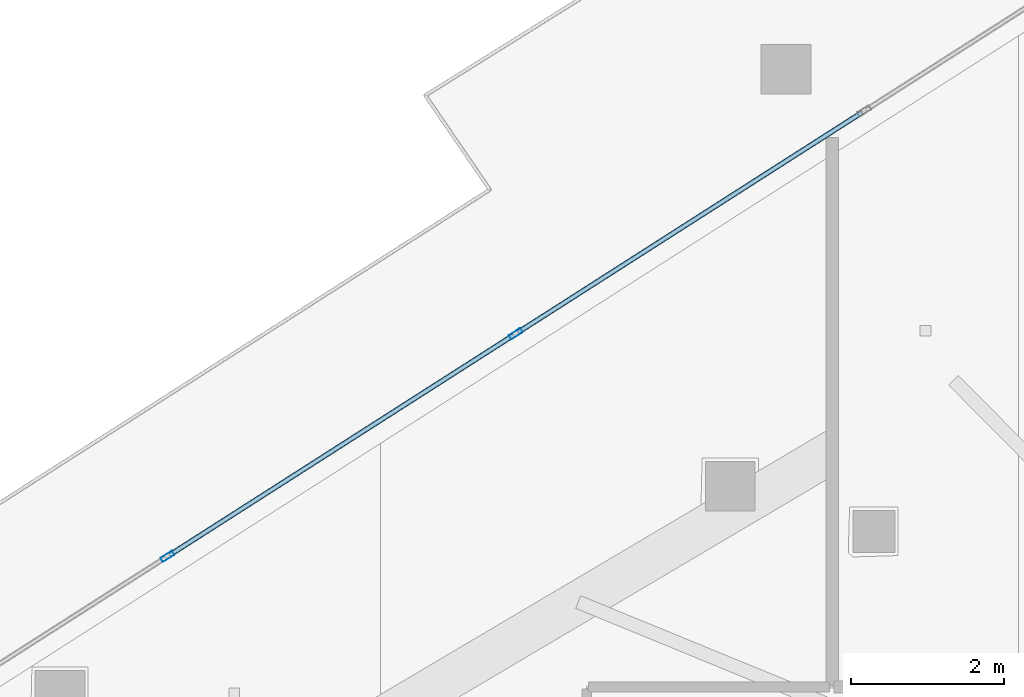
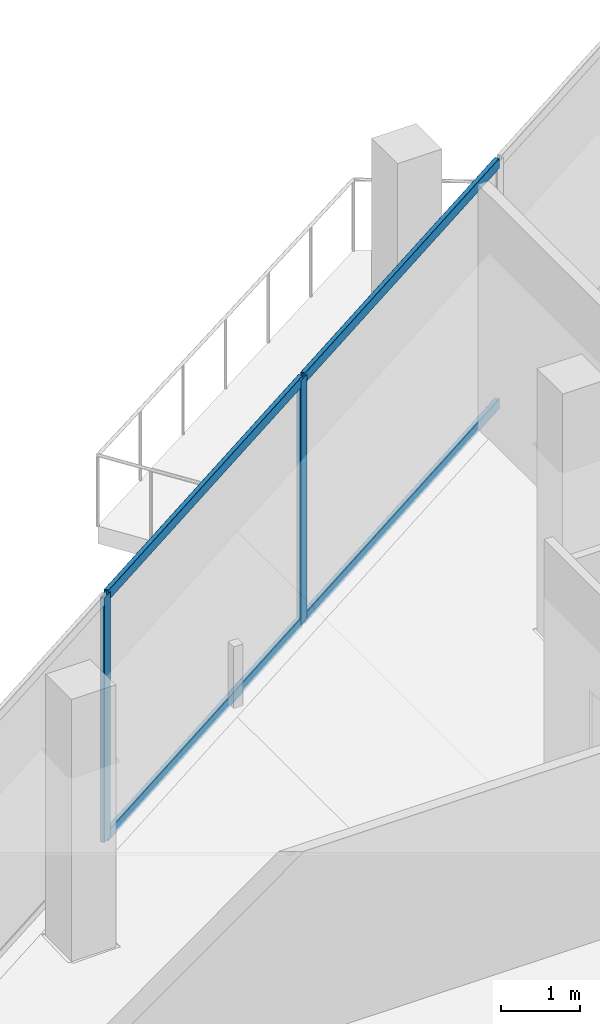
# One storey, part 16 of 39: 6 members, 1 element without a shape of its own.
"""IFC4 building model written with IfcOpenShell, lengths in metres."""

from ifc_helpers import new_model, si_unit, direction, frame, origin, origin_2d, place, context, subcontext, project, spatial, hollow_rectangle, extrude, material, layer, layer_set, material_profile, profile_set, type_object, element, aggregate, save


model = new_model("IFC4")

# Units and contexts
model_context = context("Model", 3, precision=1e-05, world=origin(), true_north=direction((0.0, 1.0)))
body_context = subcontext(model_context, "Body", "Model", "MODEL_VIEW")
ifc_project = project(units=[si_unit("LENGTHUNIT", "METRE"), si_unit("AREAUNIT", "SQUARE_METRE"), si_unit("VOLUMEUNIT", "CUBIC_METRE"), si_unit("PLANEANGLEUNIT", "RADIAN"), si_unit("MASSUNIT", "GRAM", prefix="KILO")], contexts=[model_context])

# Site, building, storey
site_placement = place(None, origin())
site = spatial("IfcSite", under=ifc_project, at=site_placement, CompositionType="ELEMENT")
building_placement = place(site_placement, origin())
building = spatial("IfcBuilding", under=site, at=building_placement, Name="Qorvath Tower", CompositionType="ELEMENT")
storey_placement = place(building_placement, frame((0.0, 0.0, 142.199951171875)))
storey = spatial("IfcBuildingStorey", under=building, at=storey_placement, Name="L32", CompositionType="ELEMENT", Elevation=142.199951171875)

# Curtain wall, members
ifc_material_1 = material(Name="Anodised aluminium and triple low-E glass", Category="aluminium")
ifc_layer = layer(ifc_material_1, 0.179931640625)
ifc_layer_set = layer_set([ifc_layer], Name="CW-SYS-3")
curtain_wall_type = type_object("IfcCurtainWallType", Name="CW-SYS-3", PredefinedType="NOTDEFINED", material=ifc_layer_set)
curtain_wall_placement = place(storey_placement, origin())
curtain_wall = element("IfcCurtainWall", 1, at=curtain_wall_placement, inside=storey, type_object=curtain_wall_type, Name="Curtain Wall CW-3 CW-T-L32-16.1", PredefinedType="NOTDEFINED")
ifc_material_2 = material(Name="Anodised aluminium 6063-T6", Category="aluminium")
ifc_material_profile_1 = material_profile(ifc_material_2, hollow_rectangle(XDim=0.06494140625, YDim=0.179931640625, WallThickness=0.00341796875, InnerFilletRadius=0.00341796875, OuterFilletRadius=0.007080078125, at=origin_2d()), Name="CWM 180x65")
ifc_profile_set_1 = profile_set([ifc_material_profile_1], Name="Anodised aluminium 6063-T6")
member_type_1 = type_object("IfcMemberType", Name="CWM-180", PredefinedType="MULLION", material=ifc_profile_set_1)
member_1_placement = place(storey_placement, frame((-38.78173828125, 15.373779296875, 0.0), z_axis=(0.0, 0.0, 1.0), x_axis=(0.53853296968, -0.842604438967, 0.0)))
member_1 = element("IfcMember", 2, at=member_1_placement, type_object=member_type_1, Name="CW-3 mullion 6", PredefinedType="MULLION", context=body_context, shape_type="SweptSolid", body=[
    extrude(hollow_rectangle(XDim=0.06494140625, YDim=0.179931640625, WallThickness=0.00341796875, InnerFilletRadius=0.00341796875, OuterFilletRadius=0.007080078125, at=origin_2d()), origin(), (0.0, 0.0, 1.0), 3.780029296875),
])
member_2_placement = place(storey_placement, frame((-43.332763671875, 12.465087890625, 0.0), z_axis=(0.0, 0.0, 1.0), x_axis=(0.53853296968, -0.842604438967, 0.0)))
member_2 = element("IfcMember", 3, at=member_2_placement, type_object=member_type_1, Name="CW-3 mullion 7", PredefinedType="MULLION", context=body_context, shape_type="SweptSolid", body=[
    extrude(hollow_rectangle(XDim=0.06494140625, YDim=0.179931640625, WallThickness=0.00341796875, InnerFilletRadius=0.00341796875, OuterFilletRadius=0.007080078125, at=origin_2d()), origin(), (0.0, 0.0, 1.0), 3.780029296875),
])
ifc_material_3 = material(Name="Anodised aluminium 6063-T6", Category="aluminium")
ifc_material_profile_2 = material_profile(ifc_material_3, hollow_rectangle(XDim=0.06494140625, YDim=0.159912109375, WallThickness=0.00341796875, InnerFilletRadius=0.00341796875, OuterFilletRadius=0.007080078125, at=origin_2d()), Name="CWT 160x65")
ifc_profile_set_2 = profile_set([ifc_material_profile_2], Name="Anodised aluminium 6063-T6")
member_type_2 = type_object("IfcMemberType", Name="CWT-160", PredefinedType="USERDEFINED", material=ifc_profile_set_2)
member_3_placement = place(storey_placement, frame((-34.258544921875, 18.264892578125, 0.032470703125), z_axis=(-0.842574568143, -0.53857970359, 0.0), x_axis=(0.53857970359, -0.842574568143, 0.0)))
member_3 = element("IfcMember", 4, at=member_3_placement, type_object=member_type_2, Name="CW-3 transom 5.1", ObjectType="TRANSOM", PredefinedType="USERDEFINED", context=body_context, shape_type="SweptSolid", body=[
    extrude(hollow_rectangle(XDim=0.06494140625, YDim=0.159912109375, WallThickness=0.00341796875, InnerFilletRadius=0.00341796875, OuterFilletRadius=0.007080078125, at=origin_2d()), origin(), (0.0, 0.0, 1.0), 5.3359375),
])
member_4_placement = place(storey_placement, frame((-34.258544921875, 18.264892578125, 3.74755859375), z_axis=(-0.842574568143, -0.53857970359, 0.0), x_axis=(0.53857970359, -0.842574568143, 0.0)))
member_4 = element("IfcMember", 5, at=member_4_placement, type_object=member_type_2, Name="CW-3 transom 5.2", ObjectType="TRANSOM", PredefinedType="USERDEFINED", context=body_context, shape_type="SweptSolid", body=[
    extrude(hollow_rectangle(XDim=0.06494140625, YDim=0.159912109375, WallThickness=0.00341796875, InnerFilletRadius=0.00341796875, OuterFilletRadius=0.007080078125, at=origin_2d()), origin(), (0.0, 0.0, 1.0), 5.3359375),
])
member_5_placement = place(storey_placement, frame((-38.809326171875, 15.356201171875, 0.032470703125), z_axis=(-0.84259533126, -0.5385472196, 0.0), x_axis=(0.5385472196, -0.84259533126, 0.0)))
member_5 = element("IfcMember", 6, at=member_5_placement, type_object=member_type_2, Name="CW-3 transom 6.1", ObjectType="TRANSOM", PredefinedType="USERDEFINED", context=body_context, shape_type="SweptSolid", body=[
    extrude(hollow_rectangle(XDim=0.06494140625, YDim=0.159912109375, WallThickness=0.00341796875, InnerFilletRadius=0.00341796875, OuterFilletRadius=0.007080078125, at=origin_2d()), origin(), (0.0, 0.0, 1.0), 5.335693359375),
])
member_6_placement = place(storey_placement, frame((-38.809326171875, 15.356201171875, 3.74755859375), z_axis=(-0.84259533126, -0.5385472196, 0.0), x_axis=(0.5385472196, -0.84259533126, 0.0)))
member_6 = element("IfcMember", 7, at=member_6_placement, type_object=member_type_2, Name="CW-3 transom 6.2", ObjectType="TRANSOM", PredefinedType="USERDEFINED", context=body_context, shape_type="SweptSolid", body=[
    extrude(hollow_rectangle(XDim=0.06494140625, YDim=0.159912109375, WallThickness=0.00341796875, InnerFilletRadius=0.00341796875, OuterFilletRadius=0.007080078125, at=origin_2d()), origin(), (0.0, 0.0, 1.0), 5.335693359375),
])
aggregate(curtain_wall, [member_1, member_2, member_3, member_4, member_5, member_6])

save(model, "model.ifc")
